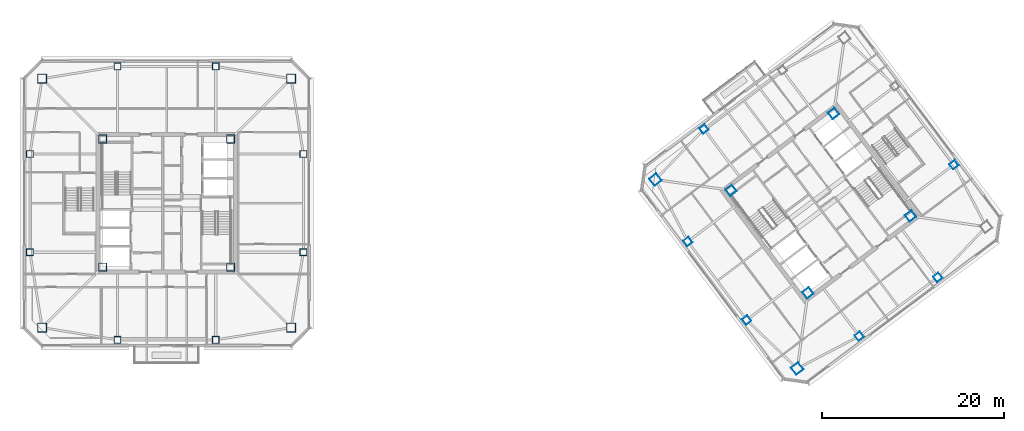
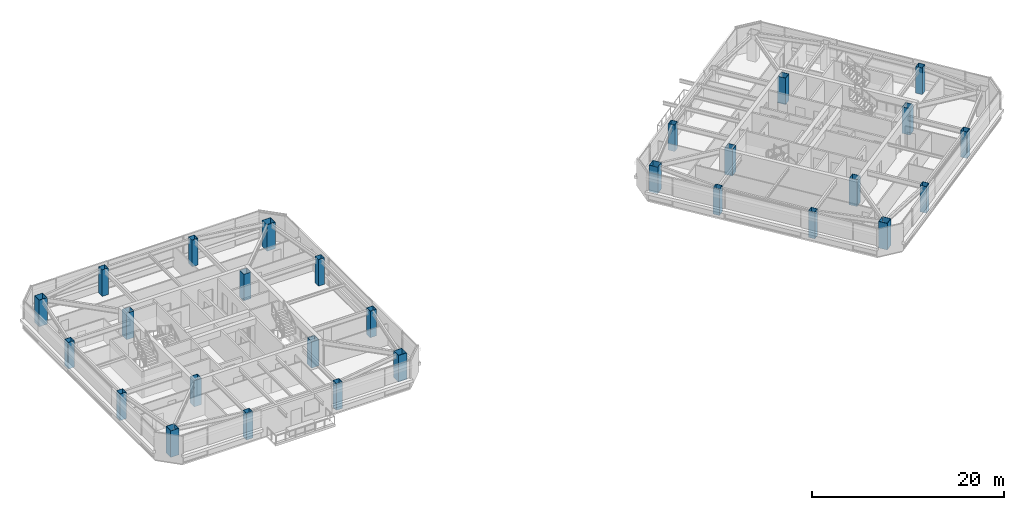
# One storey, part 1 of 36: 28 columns.
"""IFC4 building model written with IfcOpenShell, lengths in metres."""

import ifcopenshell
import ifcopenshell.guid

model = None  # the IFC model being written
_history = None  # IfcOwnerHistory: only IFC2X3 demands one
_inside = {}  # id of a spatial element -> (the spatial element, [elements in it])
_under = {}  # id of a project, library or spatial element -> (it, [spatial elements below it])
_declared = {}  # id of a project -> (the project, [libraries it declares])
_typed = {}  # id of a type object -> (the type object, [elements of that type])
_made_of = {}  # id of a material, layer set ... -> (it, [elements and type objects made of it])


def new_model(schema):
    """Start an empty IFC model of exactly this schema.

    Asked for "IFC4X3", IfcOpenShell would pick the latest addendum, in which some entities
    have other attributes; the version numbers below select the first issue.
    IFC2X3 requires an IfcOwnerHistory on every rooted entity: one is made here for all.
    """
    global model, _history
    if schema == "IFC4X3":
        model = ifcopenshell.file(schema_version=(4, 3, 0, 0))
    else:
        model = ifcopenshell.file(schema=schema)
    _inside.clear()
    _under.clear()
    _declared.clear()
    _typed.clear()
    _made_of.clear()
    _history = None
    if model.schema == "IFC2X3":
        org = make("IfcOrganization", Name="unknown")
        user = make(
            "IfcPersonAndOrganization",
            ThePerson=make("IfcPerson", FamilyName="unknown"),
            TheOrganization=org,
        )
        app = make(
            "IfcApplication",
            ApplicationDeveloper=org,
            Version="unknown",
            ApplicationFullName="unknown",
            ApplicationIdentifier="unknown",
        )
        _history = make(
            "IfcOwnerHistory",
            OwningUser=user,
            OwningApplication=app,
            ChangeAction="ADDED",
            CreationDate=0,
        )
    return model


def make(cls, **values):
    """One entity of the class cls with the attributes given. An attribute that is None is left unset."""
    return model.create_entity(
        cls, **{name: value for name, value in values.items() if value is not None}
    )


def rooted(cls, **values):
    """An entity with a GlobalId (a new one), such as an element, a storey or a relation."""
    return make(cls, GlobalId=ifcopenshell.guid.new(), OwnerHistory=_history, **values)


def si_unit(unit_type, name, prefix=None):
    """IfcSIUnit, for example si_unit("LENGTHUNIT", "METRE", prefix="MILLI")."""
    return make("IfcSIUnit", UnitType=unit_type, Prefix=prefix, Name=name)


def assignment(units):
    """IfcUnitAssignment: the units of a project."""
    return None if units is None else make("IfcUnitAssignment", Units=units)


def point(xyz):
    """IfcCartesianPoint."""
    return None if xyz is None else make("IfcCartesianPoint", Coordinates=xyz)


def direction(xyz):
    """IfcDirection."""
    return None if xyz is None else make("IfcDirection", DirectionRatios=xyz)


def frame(location, z_axis=None, x_axis=None):
    """IfcAxis2Placement3D, a coordinate frame: its origin and axes. An axis left out is left unset."""
    return make(
        "IfcAxis2Placement3D",
        Location=point(location),
        Axis=direction(z_axis),
        RefDirection=direction(x_axis),
    )


def frame_2d(location, x_axis=None):
    """IfcAxis2Placement2D, a coordinate frame in the plane: its origin and x axis."""
    return make(
        "IfcAxis2Placement2D", Location=point(location), RefDirection=direction(x_axis)
    )


def origin():
    """The frame at (0, 0, 0) with its axes left unset."""
    return frame((0.0, 0.0, 0.0))


def origin_2d():
    """The frame at (0, 0) in the plane with its x axis left unset."""
    return frame_2d((0.0, 0.0))


def place(relative_to, where):
    """IfcLocalPlacement: puts the frame where relative to a parent placement (None: the world)."""
    return make(
        "IfcLocalPlacement", PlacementRelTo=relative_to, RelativePlacement=where
    )


def context(
    kind, dimensions, precision=None, world=None, true_north=None, identifier=None
):
    """IfcGeometricRepresentationContext, for example the 3D "Model" context."""
    return make(
        "IfcGeometricRepresentationContext",
        ContextIdentifier=identifier,
        ContextType=kind,
        CoordinateSpaceDimension=dimensions,
        Precision=precision,
        WorldCoordinateSystem=world,
        TrueNorth=true_north,
    )


def subcontext(parent, identifier, kind, view, scale=None):
    """IfcGeometricRepresentationSubContext, for example "Body" below "Model"."""
    return make(
        "IfcGeometricRepresentationSubContext",
        ContextIdentifier=identifier,
        ContextType=kind,
        ParentContext=parent,
        TargetScale=scale,
        TargetView=view,
    )


def project(units=None, contexts=None):
    """IfcProject with its units and contexts."""
    return rooted(
        "IfcProject",
        Name="project",
        RepresentationContexts=contexts,
        UnitsInContext=assignment(units),
    )


def spatial(cls, under=None, at=None, **own):
    """A site, building, storey or space (cls), placed at a placement, below another one or the project."""
    s = rooted(cls, ObjectPlacement=at, **own)
    if under is not None:
        _under.setdefault(under.id(), (under, []))[1].append(s)
    return s


def profile(cls, at=None, kind="AREA", **sizes):
    """A parametric profile (cls). Its sizes go by their IFC names, for example OverallWidth=200.0."""
    return make(cls, ProfileType=kind, Position=at, **sizes)


def hollow_rectangle(**sizes):
    """IfcRectangleHollowProfileDef."""
    return profile("IfcRectangleHollowProfileDef", **sizes)


def extrude(swept, where, along, depth):
    """IfcExtrudedAreaSolid: the profile swept, set in the frame where, extruded along a direction by depth."""
    return make(
        "IfcExtrudedAreaSolid",
        SweptArea=swept,
        Position=where,
        ExtrudedDirection=direction(along),
        Depth=depth,
    )


def shape(context_of_items, identifier, shape_type, items):
    """IfcShapeRepresentation: the items that make up one representation, for example the "Body"."""
    return make(
        "IfcShapeRepresentation",
        ContextOfItems=context_of_items,
        RepresentationIdentifier=identifier,
        RepresentationType=shape_type,
        Items=items,
    )


def material(Name=None, Category=None):
    """IfcMaterial."""
    return make("IfcMaterial", Name=Name, Category=Category)


def material_profile(
    of_material, cross_section, Name=None, Category=None, Priority=None
):
    """IfcMaterialProfile: a cross section and its material."""
    return make(
        "IfcMaterialProfile",
        Name=Name,
        Material=of_material,
        Profile=cross_section,
        Priority=Priority,
        Category=Category,
    )


def profile_set(profiles, Name=None, composite=None):
    """IfcMaterialProfileSet."""
    return make(
        "IfcMaterialProfileSet",
        Name=Name,
        MaterialProfiles=profiles,
        CompositeProfile=composite,
    )


def made_of(thing, what):
    """Note that an element or type object is made of a material, layer set ...; save() writes the relation."""
    if what is not None:
        _made_of.setdefault(what.id(), (what, []))[1].append(thing)
    return thing


def type_object(cls, material=None, **own):
    """A type object (cls), such as IfcWallType, which elements share."""
    return made_of(rooted(cls, **own), material)


def element(
    cls,
    number,
    at=None,
    inside=None,
    cuts=None,
    type_object=None,
    material=None,
    context=None,
    identifier="Body",
    shape_type=None,
    held_by="IfcProductDefinitionShape",
    body=None,
    shapes=None,
    **own,
):
    """One element of the class cls, such as IfcWall. Its Tag is "e" and its number.

    at: its placement. inside: the storey or other place that contains it. cuts: it is an
    opening in that element (IfcRelVoidsElement). A single representation is given by context,
    identifier, shape_type and body (its items); several are given by shapes. held_by: the class
    of the entity that holds the representations. save() writes the other relations.
    """
    e = rooted(cls, Tag="e%d" % number, ObjectPlacement=at, **own)
    if body is not None:
        shapes = [shape(context, identifier, shape_type, body)]
    if shapes is not None:
        e.Representation = make(held_by, Representations=shapes)
    if inside is not None:
        _inside.setdefault(inside.id(), (inside, []))[1].append(e)
    if cuts is not None:
        rooted(
            "IfcRelVoidsElement", RelatingBuildingElement=cuts, RelatedOpeningElement=e
        )
    if type_object is not None:
        _typed.setdefault(type_object.id(), (type_object, []))[1].append(e)
    return made_of(e, material)


def aggregate(whole, parts):
    """IfcRelAggregates: a whole, such as a stair, and the parts it consists of."""
    return rooted("IfcRelAggregates", RelatingObject=whole, RelatedObjects=parts)


def save(model, path):
    """Write the relations noted so far, then the file.

    IfcRelAggregates (storeys below a building ...), IfcRelContainedInSpatialStructure (elements
    in a storey), IfcRelDefinesByType, IfcRelAssociatesMaterial and IfcRelDeclares: one each for
    every whole, place, type object, material and project.
    """
    for whole, parts in _under.values():
        aggregate(whole, parts)
    for where, things in _inside.values():
        rooted(
            "IfcRelContainedInSpatialStructure",
            RelatedElements=things,
            RelatingStructure=where,
        )
    for kind, things in _typed.values():
        rooted("IfcRelDefinesByType", RelatedObjects=things, RelatingType=kind)
    for what, things in _made_of.values():
        rooted("IfcRelAssociatesMaterial", RelatedObjects=things, RelatingMaterial=what)
    for by, libraries in _declared.values():
        rooted("IfcRelDeclares", RelatingContext=by, RelatedDefinitions=libraries)
    model.write(path)


model = new_model("IFC4")

# Units and contexts
model_context = context("Model", 3, precision=1e-05, world=origin(), true_north=direction((0.0, 1.0)))
body_context = subcontext(model_context, "Body", "Model", "MODEL_VIEW")
ifc_project = project(units=[si_unit("LENGTHUNIT", "METRE"), si_unit("AREAUNIT", "SQUARE_METRE"), si_unit("VOLUMEUNIT", "CUBIC_METRE"), si_unit("PLANEANGLEUNIT", "RADIAN"), si_unit("MASSUNIT", "GRAM", prefix="KILO")], contexts=[model_context])

# Site, building, storey
site_placement = place(None, origin())
site = spatial("IfcSite", under=ifc_project, at=site_placement, CompositionType="ELEMENT")
building_placement = place(site_placement, origin())
building = spatial("IfcBuilding", under=site, at=building_placement, Name="Tashvorn Skyway Center", CompositionType="ELEMENT")
storey_placement = place(building_placement, frame((0.0, 0.0, 236.14990234375)))
storey = spatial("IfcBuildingStorey", under=building, at=storey_placement, Name="L64", CompositionType="ELEMENT", Elevation=236.14990234375)

# Columns
ifc_material = material(Name="Steel ASTM A572 Grade 50", Category="steel")
ifc_material_profile_1 = material_profile(ifc_material, hollow_rectangle(XDim=1.0, YDim=1.0, WallThickness=0.0400390625, at=origin_2d()), Name="BOX1000x1000x40")
ifc_profile_set_1 = profile_set([ifc_material_profile_1], Name="Steel ASTM A572 Grade 50")
column_type_1 = type_object("IfcColumnType", Name="COL-BOX1000x1000x40", PredefinedType="COLUMN", material=ifc_profile_set_1)
for number, where, z_axis, x_axis, name in (
    (1, (28.300048828125, 18.300048828125, 0.0), (0.0, 0.0, 1.0), (1.0, 0.0, 0.0), "Tower 1 L64 Mega-Column MC-SW"),
    (2, (55.699951171875, 18.300048828125, 0.0), (0.0, 0.0, 1.0), (1.0, 0.0, 0.0), "Tower 1 L64 Mega-Column MC-SE"),
    (3, (55.699951171875, 45.699951171875, 0.0), (0.0, 0.0, 1.0), (1.0, 0.0, 0.0), "Tower 1 L64 Mega-Column MC-NE"),
    (4, (28.300048828125, 45.699951171875, 0.0), (0.0, 0.0, 1.0), (1.0, 0.0, 0.0), "Tower 1 L64 Mega-Column MC-NW"),
    (5, (111.39990234375, 13.800048828125, 0.0), (0.0, 0.0, 1.0), (0.799999996291, 0.600000004945, 0.0), "Tower 2 L64 Mega-Column MC-SW"),
    (6, (95.800048828125, 34.60009765625, 0.0), (0.0, 0.0, 1.0), (0.799999996291, 0.600000004945, 0.0), "Tower 2 L64 Mega-Column MC-NW"),
):
    element("IfcColumn", number, at=place(storey_placement, frame(where, z_axis=z_axis, x_axis=x_axis)), inside=storey, type_object=column_type_1, Name=name, PredefinedType="COLUMN", context=body_context, shape_type="SweptSolid", body=[
        extrude(hollow_rectangle(XDim=1.0, YDim=1.0, WallThickness=0.0400390625, at=origin_2d()), origin(), (0.0, 0.0, 1.0), 3.3701171875),
    ])
ifc_material_profile_2 = material_profile(ifc_material, hollow_rectangle(XDim=0.75, YDim=0.75, WallThickness=0.031982421875, at=origin_2d()), Name="BOX750x750x32")
ifc_profile_set_2 = profile_set([ifc_material_profile_2], Name="Steel ASTM A572 Grade 50")
column_type_2 = type_object("IfcColumnType", Name="COL-BOX750x750x32", PredefinedType="COLUMN", material=ifc_profile_set_2)
for number, where, z_axis, x_axis, name in (
    (7, (36.60009765625, 16.949951171875, 0.0), (0.0, 0.0, 1.0), (1.0, 0.0, 0.0), "Tower 1 L64 Perimeter Column FC-S1"),
    (8, (47.39990234375, 16.949951171875, 0.0), (0.0, 0.0, 1.0), (1.0, 0.0, 0.0), "Tower 1 L64 Perimeter Column FC-S2"),
    (9, (57.050048828125, 26.60009765625, 0.0), (0.0, 0.0, 1.0), (1.0, 0.0, 0.0), "Tower 1 L64 Perimeter Column FC-E1"),
    (10, (57.050048828125, 37.39990234375, 0.0), (0.0, 0.0, 1.0), (1.0, 0.0, 0.0), "Tower 1 L64 Perimeter Column FC-E2"),
    (11, (47.39990234375, 47.050048828125, 0.0), (0.0, 0.0, 1.0), (1.0, 0.0, 0.0), "Tower 1 L64 Perimeter Column FC-N1"),
    (12, (36.60009765625, 47.050048828125, 0.0), (0.0, 0.0, 1.0), (1.0, 0.0, 0.0), "Tower 1 L64 Perimeter Column FC-N2"),
    (13, (26.949951171875, 37.39990234375, 0.0), (0.0, 0.0, 1.0), (1.0, 0.0, 0.0), "Tower 1 L64 Perimeter Column FC-W1"),
    (14, (26.949951171875, 26.60009765625, 0.0), (0.0, 0.0, 1.0), (1.0, 0.0, 0.0), "Tower 1 L64 Perimeter Column FC-W2"),
    (15, (118.22998046875, 17.360107421875, 0.0), (0.0, 0.0, 1.0), (0.799999996291, 0.600000004945, 0.0), "Tower 2 L64 Perimeter Column FC-S1"),
    (16, (126.8701171875, 23.840087890625, 0.0), (0.0, 0.0, 1.0), (0.799999996291, 0.600000004945, 0.0), "Tower 2 L64 Perimeter Column FC-S2"),
    (17, (128.639892578125, 36.22998046875, 0.0), (0.0, 0.0, 1.0), (0.799999996291, 0.600000004945, 0.0), "Tower 2 L64 Perimeter Column FC-E1"),
    (18, (101.1298828125, 40.159912109375, 0.0), (0.0, 0.0, 1.0), (0.799999996291, 0.600000004945, 0.0), "Tower 2 L64 Perimeter Column FC-N2"),
    (19, (99.360107421875, 27.77001953125, 0.0), (0.0, 0.0, 1.0), (0.799999996291, 0.600000004945, 0.0), "Tower 2 L64 Perimeter Column FC-W1"),
    (20, (105.840087890625, 19.1298828125, 0.0), (0.0, 0.0, 1.0), (0.799999996291, 0.600000004945, 0.0), "Tower 2 L64 Perimeter Column FC-W2"),
):
    element("IfcColumn", number, at=place(storey_placement, frame(where, z_axis=z_axis, x_axis=x_axis)), inside=storey, type_object=column_type_2, Name=name, PredefinedType="COLUMN", context=body_context, shape_type="SweptSolid", body=[
        extrude(hollow_rectangle(XDim=0.75, YDim=0.75, WallThickness=0.031982421875, at=origin_2d()), origin(), (0.0, 0.0, 1.0), 3.3701171875),
    ])
ifc_material_profile_3 = material_profile(ifc_material, hollow_rectangle(XDim=0.89990234375, YDim=0.89990234375, WallThickness=0.0400390625, at=origin_2d()), Name="BOX900x900x40")
ifc_profile_set_3 = profile_set([ifc_material_profile_3], Name="Steel ASTM A572 Grade 50")
column_type_3 = type_object("IfcColumnType", Name="COL-BOX900x900x40", PredefinedType="COLUMN", material=ifc_profile_set_3)
for number, where, z_axis, x_axis, name in (
    (21, (34.949951171875, 24.949951171875, 0.0), (0.0, 0.0, 1.0), (1.0, 0.0, 0.0), "Tower 1 L64 Core Corner Column CC-SW"),
    (22, (49.050048828125, 24.949951171875, 0.0), (0.0, 0.0, 1.0), (1.0, 0.0, 0.0), "Tower 1 L64 Core Corner Column CC-SE"),
    (23, (49.050048828125, 39.050048828125, 0.0), (0.0, 0.0, 1.0), (1.0, 0.0, 0.0), "Tower 1 L64 Core Corner Column CC-NE"),
    (24, (34.949951171875, 39.050048828125, 0.0), (0.0, 0.0, 1.0), (1.0, 0.0, 0.0), "Tower 1 L64 Core Corner Column CC-NW"),
    (25, (112.590087890625, 22.1298828125, 0.0), (0.0, 0.0, 1.0), (0.799999996291, 0.600000004945, 0.0), "Tower 2 L64 Core Corner Column CC-SW"),
    (26, (123.8701171875, 30.590087890625, 0.0), (0.0, 0.0, 1.0), (0.799999996291, 0.600000004945, 0.0), "Tower 2 L64 Core Corner Column CC-SE"),
    (27, (115.409912109375, 41.8701171875, 0.0), (0.0, 0.0, 1.0), (0.799999996291, 0.600000004945, 0.0), "Tower 2 L64 Core Corner Column CC-NE"),
    (28, (104.1298828125, 33.409912109375, 0.0), (0.0, 0.0, 1.0), (0.799999996291, 0.600000004945, 0.0), "Tower 2 L64 Core Corner Column CC-NW"),
):
    element("IfcColumn", number, at=place(storey_placement, frame(where, z_axis=z_axis, x_axis=x_axis)), inside=storey, type_object=column_type_3, Name=name, PredefinedType="COLUMN", context=body_context, shape_type="SweptSolid", body=[
        extrude(hollow_rectangle(XDim=0.89990234375, YDim=0.89990234375, WallThickness=0.0400390625, at=origin_2d()), origin(), (0.0, 0.0, 1.0), 3.3701171875),
    ])

save(model, "model.ifc")
